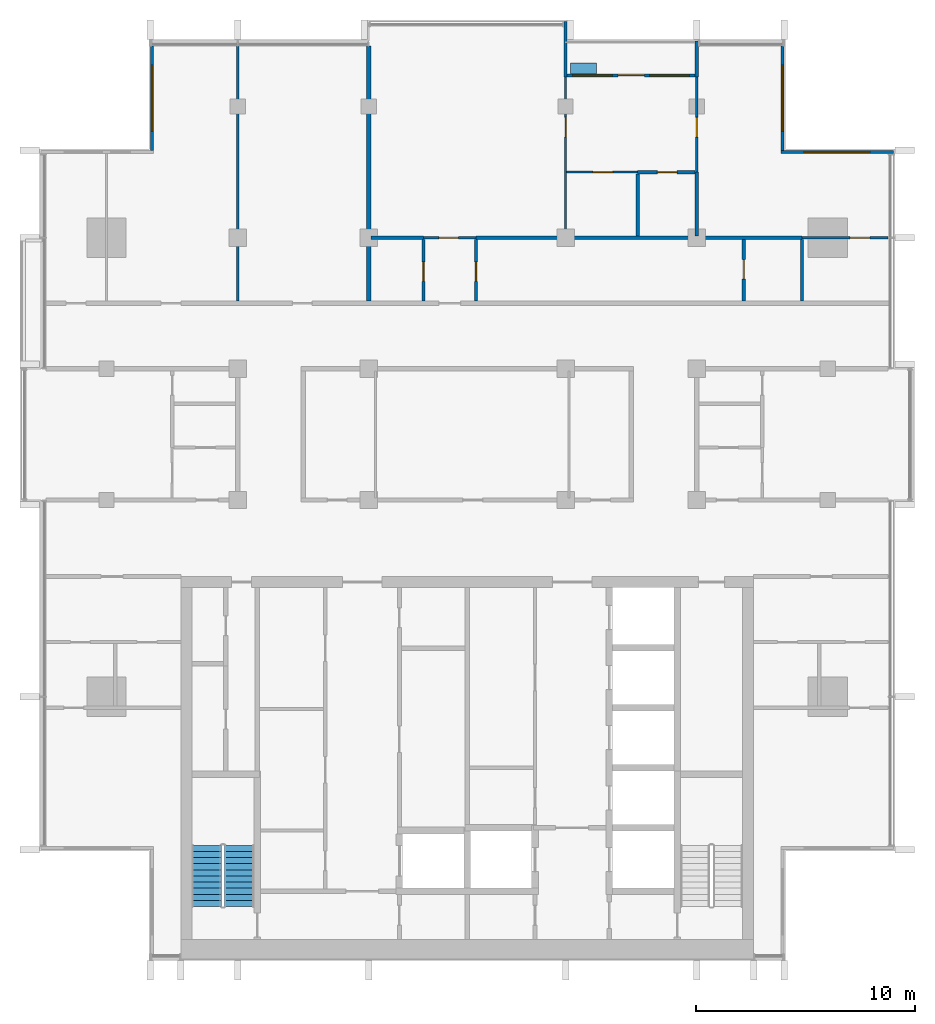
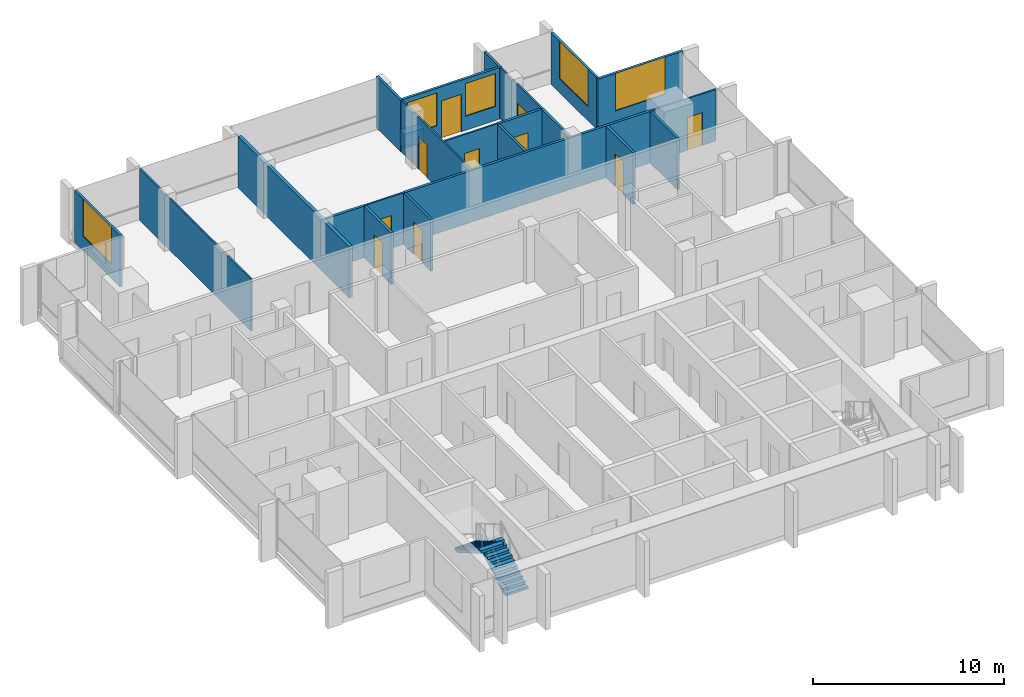
# One storey, part 10 of 16: 23 walls, 10 doors, 5 windows, 2 stair flights, 15 openings, 1 element without a shape of its own.
"""IFC4 building model written with IfcOpenShell, lengths in metres."""

from ifc_helpers import new_model, si_unit, direction, frame, frame_2d, origin, place, context, subcontext, project, spatial, polyline, rectangle, outline, extrude, material, layer, layer_set, type_object, element, fill, aggregate, save


model = new_model("IFC4")

# Units and contexts
model_context = context("Model", 3, precision=1e-05, world=origin(), true_north=direction((0.0, 1.0)))
body_context = subcontext(model_context, "Body", "Model", "MODEL_VIEW")
ifc_project = project(units=[si_unit("LENGTHUNIT", "METRE"), si_unit("AREAUNIT", "SQUARE_METRE"), si_unit("VOLUMEUNIT", "CUBIC_METRE"), si_unit("PLANEANGLEUNIT", "RADIAN"), si_unit("MASSUNIT", "GRAM", prefix="KILO")], contexts=[model_context])

# Site, building, storey
site_placement = place(None, origin())
site = spatial("IfcSite", under=ifc_project, at=site_placement, CompositionType="ELEMENT")
building_placement = place(site_placement, origin())
building = spatial("IfcBuilding", under=site, at=building_placement, Name="Finial Court Residences", CompositionType="ELEMENT")
storey_placement = place(building_placement, frame((0.0, 0.0, 262.699951171875)))
storey = spatial("IfcBuildingStorey", under=building, at=storey_placement, Name="L66", CompositionType="ELEMENT", Elevation=262.699951171875)

# Wall
ifc_material_1 = material(Name="Gypsum board")
ifc_layer_1 = layer(ifc_material_1, 0.02490234375)
ifc_material_2 = material(Name="Acoustic mineral wool in double frame")
ifc_layer_2 = layer(ifc_material_2, 0.14990234375)
ifc_layer_3 = layer(ifc_material_1, 0.02490234375)
ifc_layer_set_1 = layer_set([ifc_layer_1, ifc_layer_2, ifc_layer_3], Name="Corridor wall 200, 1 hour")
wall_type_1 = type_object("IfcWallType", Name="Corridor wall 200, 1 hour", PredefinedType="PARTITIONING", material=ifc_layer_set_1)
wall_1_placement = place(storey_placement, frame((-4.5, 4.60009765625, 0.0), z_axis=(0.0, 0.0, 1.0), x_axis=(0.0, 1.0, 0.0)))
element("IfcWall", 1, at=wall_1_placement, inside=storey, type_object=wall_type_1, Name="Partition L66-030", PredefinedType="PARTITIONING", context=body_context, shape_type="SweptSolid", body=[
    extrude(rectangle(XDim=11.662353515625, YDim=0.199951171875, at=frame_2d((5.8310546875, 0.0))), origin(), (0.0, 0.0, 1.0), 3.300048828125),
])

# Wall, opening, door
ifc_layer_4 = layer(ifc_material_1, 0.012451171875)
ifc_material_3 = material(Name="Mineral wool in light-gauge frame")
ifc_layer_5 = layer(ifc_material_3, 0.074951171875)
ifc_layer_6 = layer(ifc_material_1, 0.012451171875)
ifc_layer_set_2 = layer_set([ifc_layer_4, ifc_layer_5, ifc_layer_6], Name="Gypsum board partition 100")
wall_type_2 = type_object("IfcWallType", Name="Gypsum board partition 100", PredefinedType="PARTITIONING", material=ifc_layer_set_2)
wall_2_placement = place(storey_placement, frame((-2.0, 7.5, 0.0), z_axis=(0.0, 0.0, 1.0), x_axis=(1.0, 0.0, 0.0)))
wall_2 = element("IfcWall", 2, at=wall_2_placement, inside=storey, type_object=wall_type_2, Name="Partition L66-017", PredefinedType="PARTITIONING", context=body_context, shape_type="SweptSolid", body=[
    extrude(rectangle(XDim=2.39990234375, YDim=0.10009765625, at=frame_2d((1.199951171875, 0.0))), origin(), (0.0, 0.0, 1.0), 3.300048828125),
])
opening_1_placement = place(wall_2_placement, frame((0.699951171875, 0.0, 0.0)))
opening_1 = element("IfcOpeningElement", 3, at=opening_1_placement, cuts=wall_2, Name="Opening L66-D020", PredefinedType="OPENING", context=body_context, shape_type="SweptSolid", body=[
    extrude(rectangle(XDim=0.89990234375, YDim=2.10009765625, at=frame_2d((0.449951171875, 1.050048828125))), frame((0.0, 0.06005859375, 0.0), z_axis=(0.0, -1.0, 0.0), x_axis=(1.0, 0.0, 0.0)), (0.0, 0.0, 1.0), 0.1201171875),
])
ifc_material_4 = material(Name="Timber door leaf in timber frame", Category="wood")
door_type_1 = type_object("IfcDoorType", Name="Door set 900 x 2100", OperationType="SINGLE_SWING_LEFT", PredefinedType="DOOR", material=ifc_material_4)
door_1_placement = place(opening_1_placement, origin())
door_1 = element("IfcDoor", 4, at=door_1_placement, inside=storey, type_object=door_type_1, Name="Door L66-D020", OperationType="SINGLE_SWING_LEFT", OverallHeight=2.10009765625, OverallWidth=0.89990234375, PredefinedType="DOOR", context=body_context, shape_type="SweptSolid", body=[
    extrude(rectangle(XDim=0.89990234375, YDim=2.10009765625, at=frame_2d((0.449951171875, 1.050048828125))), frame((0.0, 0.02490234375, 0.0), z_axis=(0.0, -1.0, 0.0), x_axis=(1.0, 0.0, 0.0)), (0.0, 0.0, 1.0), 0.050048828125),
])
fill(opening_1, door_1)

wall_3_placement = place(storey_placement, frame((15.31689453125, 7.5, 0.0), z_axis=(0.0, 0.0, 1.0), x_axis=(1.0, 0.0, 0.0)))
wall_3 = element("IfcWall", 5, at=wall_3_placement, inside=storey, type_object=wall_type_2, Name="Partition L66-018", PredefinedType="PARTITIONING", context=body_context, shape_type="SweptSolid", body=[
    extrude(rectangle(XDim=3.945556640625, YDim=0.10009765625, at=frame_2d((1.97265625, 0.0))), origin(), (0.0, 0.0, 1.0), 3.300048828125),
])
opening_2_placement = place(wall_3_placement, frame((2.199951171875, 0.0, 0.0)))
opening_2 = element("IfcOpeningElement", 6, at=opening_2_placement, cuts=wall_3, Name="Opening L66-D021", PredefinedType="OPENING", context=body_context, shape_type="SweptSolid", body=[
    extrude(rectangle(XDim=0.89990234375, YDim=2.10009765625, at=frame_2d((0.449951171875, 1.050048828125))), frame((0.0, 0.06005859375, 0.0), z_axis=(0.0, -1.0, 0.0), x_axis=(1.0, 0.0, 0.0)), (0.0, 0.0, 1.0), 0.1201171875),
])
door_2_placement = place(opening_2_placement, origin())
door_2 = element("IfcDoor", 7, at=door_2_placement, inside=storey, type_object=door_type_1, Name="Door L66-D021", OperationType="SINGLE_SWING_RIGHT", OverallHeight=2.10009765625, OverallWidth=0.89990234375, PredefinedType="DOOR", context=body_context, shape_type="SweptSolid", body=[
    extrude(rectangle(XDim=0.89990234375, YDim=2.10009765625, at=frame_2d((0.449951171875, 1.050048828125))), frame((0.0, 0.02490234375, 0.0), z_axis=(0.0, -1.0, 0.0), x_axis=(1.0, 0.0, 0.0)), (0.0, 0.0, 1.0), 0.050048828125),
])
fill(opening_2, door_2)

wall_4_placement = place(storey_placement, frame((4.550048828125, 10.5, 0.0), z_axis=(0.0, 0.0, 1.0), x_axis=(1.0, 0.0, 0.0)))
wall_4 = element("IfcWall", 8, at=wall_4_placement, inside=storey, type_object=wall_type_2, Name="Partition L66-021", PredefinedType="PARTITIONING", context=body_context, shape_type="SweptSolid", body=[
    extrude(rectangle(XDim=3.25, YDim=0.10009765625, at=frame_2d((1.625, 0.0))), origin(), (0.0, 0.0, 1.0), 3.300048828125),
])
opening_3_placement = place(wall_4_placement, frame((1.199951171875, 0.0, 0.0)))
opening_3 = element("IfcOpeningElement", 9, at=opening_3_placement, cuts=wall_4, Name="Opening L66-D022", PredefinedType="OPENING", context=body_context, shape_type="SweptSolid", body=[
    extrude(rectangle(XDim=0.89990234375, YDim=2.10009765625, at=frame_2d((0.449951171875, 1.050048828125))), frame((0.0, 0.06005859375, 0.0), z_axis=(0.0, -1.0, 0.0), x_axis=(1.0, 0.0, 0.0)), (0.0, 0.0, 1.0), 0.1201171875),
])
door_3_placement = place(opening_3_placement, origin())
door_3 = element("IfcDoor", 10, at=door_3_placement, inside=storey, type_object=door_type_1, Name="Door L66-D022", OperationType="SINGLE_SWING_RIGHT", OverallHeight=2.10009765625, OverallWidth=0.89990234375, PredefinedType="DOOR", context=body_context, shape_type="SweptSolid", body=[
    extrude(rectangle(XDim=0.89990234375, YDim=2.10009765625, at=frame_2d((0.449951171875, 1.050048828125))), frame((0.0, 0.02490234375, 0.0), z_axis=(0.0, -1.0, 0.0), x_axis=(1.0, 0.0, 0.0)), (0.0, 0.0, 1.0), 0.050048828125),
])
fill(opening_3, door_3)

# Wall
wall_5_placement = place(storey_placement, frame((-10.5, 4.60009765625, 0.0), z_axis=(0.0, 0.0, 1.0), x_axis=(0.0, 1.0, 0.0)))
element("IfcWall", 11, at=wall_5_placement, inside=storey, type_object=wall_type_2, Name="Partition L66-028", PredefinedType="PARTITIONING", context=body_context, shape_type="SweptSolid", body=[
    extrude(rectangle(XDim=11.662353515625, YDim=0.10009765625, at=frame_2d((5.8310546875, 0.0))), origin(), (0.0, 0.0, 1.0), 3.300048828125),
])

# Wall, opening, door
wall_6_placement = place(storey_placement, frame((4.5, 7.574951171875, 0.0), z_axis=(0.0, 0.0, 1.0), x_axis=(0.0, 1.0, 0.0)))
wall_6 = element("IfcWall", 12, at=wall_6_placement, inside=storey, type_object=wall_type_2, Name="Partition L66-034", PredefinedType="PARTITIONING", context=body_context, shape_type="SweptSolid", body=[
    extrude(rectangle(XDim=7.275146484375, YDim=0.10009765625, at=frame_2d((3.6376953125, 0.0))), origin(), (0.0, 0.0, 1.0), 3.300048828125),
])
opening_4_placement = place(wall_6_placement, frame((4.52490234375, 0.0, 0.0)))
opening_4 = element("IfcOpeningElement", 13, at=opening_4_placement, cuts=wall_6, Name="Opening L66-D028", PredefinedType="OPENING", context=body_context, shape_type="SweptSolid", body=[
    extrude(rectangle(XDim=0.89990234375, YDim=2.10009765625, at=frame_2d((0.449951171875, 1.050048828125))), frame((0.0, 0.06005859375, 0.0), z_axis=(0.0, -1.0, 0.0), x_axis=(1.0, 0.0, 0.0)), (0.0, 0.0, 1.0), 0.1201171875),
])
door_4_placement = place(opening_4_placement, origin())
door_4 = element("IfcDoor", 14, at=door_4_placement, inside=storey, type_object=door_type_1, Name="Door L66-D028", OperationType="SINGLE_SWING_RIGHT", OverallHeight=2.10009765625, OverallWidth=0.89990234375, PredefinedType="DOOR", context=body_context, shape_type="SweptSolid", body=[
    extrude(rectangle(XDim=0.89990234375, YDim=2.10009765625, at=frame_2d((0.449951171875, 1.050048828125))), frame((0.0, 0.02490234375, 0.0), z_axis=(0.0, -1.0, 0.0), x_axis=(1.0, 0.0, 0.0)), (0.0, 0.0, 1.0), 0.050048828125),
])
fill(opening_4, door_4)

wall_7_placement = place(storey_placement, frame((10.5, 10.5, 0.0), z_axis=(0.0, 0.0, 1.0), x_axis=(0.0, 1.0, 0.0)))
wall_7 = element("IfcWall", 15, at=wall_7_placement, inside=storey, type_object=wall_type_2, Name="Partition L66-039", PredefinedType="PARTITIONING", context=body_context, shape_type="SweptSolid", body=[
    extrude(rectangle(XDim=4.35009765625, YDim=0.10009765625, at=frame_2d((2.175048828125, 0.0))), origin(), (0.0, 0.0, 1.0), 3.300048828125),
])
opening_5_placement = place(wall_7_placement, frame((1.60009765625, 0.0, 0.0)))
opening_5 = element("IfcOpeningElement", 16, at=opening_5_placement, cuts=wall_7, Name="Opening L66-D029", PredefinedType="OPENING", context=body_context, shape_type="SweptSolid", body=[
    extrude(rectangle(XDim=0.89990234375, YDim=2.10009765625, at=frame_2d((0.449951171875, 1.050048828125))), frame((0.0, 0.06005859375, 0.0), z_axis=(0.0, -1.0, 0.0), x_axis=(1.0, 0.0, 0.0)), (0.0, 0.0, 1.0), 0.1201171875),
])
door_5_placement = place(opening_5_placement, origin())
door_5 = element("IfcDoor", 17, at=door_5_placement, inside=storey, type_object=door_type_1, Name="Door L66-D029", OperationType="SINGLE_SWING_LEFT", OverallHeight=2.10009765625, OverallWidth=0.89990234375, PredefinedType="DOOR", context=body_context, shape_type="SweptSolid", body=[
    extrude(rectangle(XDim=0.89990234375, YDim=2.10009765625, at=frame_2d((0.449951171875, 1.050048828125))), frame((0.0, 0.02490234375, 0.0), z_axis=(0.0, -1.0, 0.0), x_axis=(1.0, 0.0, 0.0)), (0.0, 0.0, 1.0), 0.050048828125),
])
fill(opening_5, door_5)

# Walls
ifc_material_5 = material(Name="Moisture-resistant gypsum board")
ifc_layer_7 = layer(ifc_material_5, 0.012451171875)
ifc_layer_8 = layer(ifc_material_3, 0.125)
ifc_layer_9 = layer(ifc_material_5, 0.012451171875)
ifc_layer_set_3 = layer_set([ifc_layer_7, ifc_layer_8, ifc_layer_9], Name="Gypsum board wet-area partition 150")
wall_type_3 = type_object("IfcWallType", Name="Gypsum board wet-area partition 150", PredefinedType="PARTITIONING", material=ifc_layer_set_3)
wall_8_placement = place(storey_placement, frame((-4.39990234375, 7.5, 0.0), z_axis=(0.0, 0.0, 1.0), x_axis=(1.0, 0.0, 0.0)))
element("IfcWall", 18, at=wall_8_placement, inside=storey, type_object=wall_type_3, Name="Partition L66-019", PredefinedType="PARTITIONING", context=body_context, shape_type="SweptSolid", body=[
    extrude(rectangle(XDim=2.39990234375, YDim=0.14990234375, at=frame_2d((1.199951171875, 0.0))), origin(), (0.0, 0.0, 1.0), 3.300048828125),
])
wall_9_placement = place(storey_placement, frame((0.39990234375, 7.5, 0.0), z_axis=(0.0, 0.0, 1.0), x_axis=(1.0, 0.0, 0.0)))
element("IfcWall", 19, at=wall_9_placement, inside=storey, type_object=wall_type_3, Name="Partition L66-020", PredefinedType="PARTITIONING", context=body_context, shape_type="SweptSolid", body=[
    extrude(rectangle(XDim=14.9169921875, YDim=0.14990234375, at=frame_2d((7.45849609375, 0.0))), origin(), (0.0, 0.0, 1.0), 3.300048828125),
])

# Wall, opening, door
wall_10_placement = place(storey_placement, frame((7.800048828125, 10.5, 0.0), z_axis=(0.0, 0.0, 1.0), x_axis=(1.0, 0.0, 0.0)))
wall_10 = element("IfcWall", 20, at=wall_10_placement, inside=storey, type_object=wall_type_3, Name="Partition L66-022", PredefinedType="PARTITIONING", context=body_context, shape_type="SweptSolid", body=[
    extrude(rectangle(XDim=2.625, YDim=0.14990234375, at=frame_2d((1.3125, 0.0))), origin(), (0.0, 0.0, 1.0), 3.300048828125),
])
opening_6_placement = place(wall_10_placement, frame((0.89990234375, 0.0, 0.0)))
opening_6 = element("IfcOpeningElement", 21, at=opening_6_placement, cuts=wall_10, Name="Opening L66-D023", PredefinedType="OPENING", context=body_context, shape_type="SweptSolid", body=[
    extrude(rectangle(XDim=0.89990234375, YDim=2.10009765625, at=frame_2d((0.449951171875, 1.050048828125))), frame((0.0, 0.0849609375, 0.0), z_axis=(0.0, -1.0, 0.0), x_axis=(1.0, 0.0, 0.0)), (0.0, 0.0, 1.0), 0.169921875),
])
door_6_placement = place(opening_6_placement, origin())
door_6 = element("IfcDoor", 22, at=door_6_placement, inside=storey, type_object=door_type_1, Name="Door L66-D023", OperationType="SINGLE_SWING_RIGHT", OverallHeight=2.10009765625, OverallWidth=0.89990234375, PredefinedType="DOOR", context=body_context, shape_type="SweptSolid", body=[
    extrude(rectangle(XDim=0.89990234375, YDim=2.10009765625, at=frame_2d((0.449951171875, 1.050048828125))), frame((0.0, 0.02490234375, 0.0), z_axis=(0.0, -1.0, 0.0), x_axis=(1.0, 0.0, 0.0)), (0.0, 0.0, 1.0), 0.050048828125),
])
fill(opening_6, door_6)

wall_11_placement = place(storey_placement, frame((-2.0, 4.60009765625, 0.0), z_axis=(0.0, 0.0, 1.0), x_axis=(0.0, 1.0, 0.0)))
wall_11 = element("IfcWall", 23, at=wall_11_placement, inside=storey, type_object=wall_type_3, Name="Partition L66-032", PredefinedType="PARTITIONING", context=body_context, shape_type="SweptSolid", body=[
    extrude(rectangle(XDim=2.824951171875, YDim=0.14990234375, at=frame_2d((1.41259765625, 0.0))), origin(), (0.0, 0.0, 1.0), 3.300048828125),
])
opening_7_placement = place(wall_11_placement, frame((0.89990234375, 0.0, 0.0)))
opening_7 = element("IfcOpeningElement", 24, at=opening_7_placement, cuts=wall_11, Name="Opening L66-D026", PredefinedType="OPENING", context=body_context, shape_type="SweptSolid", body=[
    extrude(rectangle(XDim=0.89990234375, YDim=2.10009765625, at=frame_2d((0.449951171875, 1.050048828125))), frame((0.0, 0.0849609375, 0.0), z_axis=(0.0, -1.0, 0.0), x_axis=(1.0, 0.0, 0.0)), (0.0, 0.0, 1.0), 0.169921875),
])
door_7_placement = place(opening_7_placement, origin())
door_7 = element("IfcDoor", 25, at=door_7_placement, inside=storey, type_object=door_type_1, Name="Door L66-D026", OperationType="SINGLE_SWING_LEFT", OverallHeight=2.10009765625, OverallWidth=0.89990234375, PredefinedType="DOOR", context=body_context, shape_type="SweptSolid", body=[
    extrude(rectangle(XDim=0.89990234375, YDim=2.10009765625, at=frame_2d((0.449951171875, 1.050048828125))), frame((0.0, 0.02490234375, 0.0), z_axis=(0.0, -1.0, 0.0), x_axis=(1.0, 0.0, 0.0)), (0.0, 0.0, 1.0), 0.050048828125),
])
fill(opening_7, door_7)

wall_12_placement = place(storey_placement, frame((0.39990234375, 4.60009765625, 0.0), z_axis=(0.0, 0.0, 1.0), x_axis=(0.0, 1.0, 0.0)))
wall_12 = element("IfcWall", 26, at=wall_12_placement, inside=storey, type_object=wall_type_3, Name="Partition L66-033", PredefinedType="PARTITIONING", context=body_context, shape_type="SweptSolid", body=[
    extrude(rectangle(XDim=2.824951171875, YDim=0.14990234375, at=frame_2d((1.41259765625, 0.0))), origin(), (0.0, 0.0, 1.0), 3.300048828125),
])
opening_8_placement = place(wall_12_placement, frame((0.89990234375, 0.0, 0.0)))
opening_8 = element("IfcOpeningElement", 27, at=opening_8_placement, cuts=wall_12, Name="Opening L66-D027", PredefinedType="OPENING", context=body_context, shape_type="SweptSolid", body=[
    extrude(rectangle(XDim=0.89990234375, YDim=2.10009765625, at=frame_2d((0.449951171875, 1.050048828125))), frame((0.0, 0.0849609375, 0.0), z_axis=(0.0, -1.0, 0.0), x_axis=(1.0, 0.0, 0.0)), (0.0, 0.0, 1.0), 0.169921875),
])
door_8_placement = place(opening_8_placement, origin())
door_8 = element("IfcDoor", 28, at=door_8_placement, inside=storey, type_object=door_type_1, Name="Door L66-D027", OperationType="SINGLE_SWING_LEFT", OverallHeight=2.10009765625, OverallWidth=0.89990234375, PredefinedType="DOOR", context=body_context, shape_type="SweptSolid", body=[
    extrude(rectangle(XDim=0.89990234375, YDim=2.10009765625, at=frame_2d((0.449951171875, 1.050048828125))), frame((0.0, 0.02490234375, 0.0), z_axis=(0.0, -1.0, 0.0), x_axis=(1.0, 0.0, 0.0)), (0.0, 0.0, 1.0), 0.050048828125),
])
fill(opening_8, door_8)

# Walls
wall_13_placement = place(storey_placement, frame((7.800048828125, 7.574951171875, 0.0), z_axis=(0.0, 0.0, 1.0), x_axis=(0.0, 1.0, 0.0)))
element("IfcWall", 29, at=wall_13_placement, inside=storey, type_object=wall_type_3, Name="Partition L66-037", PredefinedType="PARTITIONING", context=body_context, shape_type="SweptSolid", body=[
    extrude(rectangle(XDim=2.85009765625, YDim=0.14990234375, at=frame_2d((1.425048828125, 0.0))), origin(), (0.0, 0.0, 1.0), 3.300048828125),
])
wall_14_placement = place(storey_placement, frame((10.5, 7.574951171875, 0.0), z_axis=(0.0, 0.0, 1.0), x_axis=(0.0, 1.0, 0.0)))
element("IfcWall", 30, at=wall_14_placement, inside=storey, type_object=wall_type_3, Name="Partition L66-040", PredefinedType="PARTITIONING", context=body_context, shape_type="SweptSolid", body=[
    extrude(rectangle(XDim=2.925048828125, YDim=0.14990234375, at=frame_2d((1.46240234375, 0.0))), origin(), (0.0, 0.0, 1.0), 3.300048828125),
])

# Wall, opening, door
wall_15_placement = place(storey_placement, frame((12.64990234375, 4.60009765625, 0.0), z_axis=(0.0, 0.0, 1.0), x_axis=(0.0, 1.0, 0.0)))
wall_15 = element("IfcWall", 31, at=wall_15_placement, inside=storey, type_object=wall_type_3, Name="Partition L66-041", PredefinedType="PARTITIONING", context=body_context, shape_type="SweptSolid", body=[
    extrude(rectangle(XDim=2.824951171875, YDim=0.14990234375, at=frame_2d((1.41259765625, 0.0))), origin(), (0.0, 0.0, 1.0), 3.300048828125),
])
opening_9_placement = place(wall_15_placement, frame((1.0, 0.0, 0.0)))
opening_9 = element("IfcOpeningElement", 32, at=opening_9_placement, cuts=wall_15, Name="Opening L66-D030", PredefinedType="OPENING", context=body_context, shape_type="SweptSolid", body=[
    extrude(rectangle(XDim=0.89990234375, YDim=2.10009765625, at=frame_2d((0.449951171875, 1.050048828125))), frame((0.0, 0.0849609375, 0.0), z_axis=(0.0, -1.0, 0.0), x_axis=(1.0, 0.0, 0.0)), (0.0, 0.0, 1.0), 0.169921875),
])
door_9_placement = place(opening_9_placement, origin())
door_9 = element("IfcDoor", 33, at=door_9_placement, inside=storey, type_object=door_type_1, Name="Door L66-D030", OperationType="SINGLE_SWING_LEFT", OverallHeight=2.10009765625, OverallWidth=0.89990234375, PredefinedType="DOOR", context=body_context, shape_type="SweptSolid", body=[
    extrude(rectangle(XDim=0.89990234375, YDim=2.10009765625, at=frame_2d((0.449951171875, 1.050048828125))), frame((0.0, 0.02490234375, 0.0), z_axis=(0.0, -1.0, 0.0), x_axis=(1.0, 0.0, 0.0)), (0.0, 0.0, 1.0), 0.050048828125),
])
fill(opening_9, door_9)

# Wall
wall_16_placement = place(storey_placement, frame((15.31689453125, 4.60009765625, 0.0), z_axis=(0.0, 0.0, 1.0), x_axis=(0.0, 1.0, 0.0)))
element("IfcWall", 34, at=wall_16_placement, inside=storey, type_object=wall_type_3, Name="Partition L66-044", PredefinedType="PARTITIONING", context=body_context, shape_type="SweptSolid", body=[
    extrude(rectangle(XDim=2.824951171875, YDim=0.14990234375, at=frame_2d((1.41259765625, 0.0))), origin(), (0.0, 0.0, 1.0), 3.300048828125),
])

# Wall, opening, window
ifc_material_6 = material(Name="Natural limestone", Category="masonry")
ifc_layer_10 = layer(ifc_material_6, 0.14990234375)
ifc_layer_set_4 = layer_set([ifc_layer_10], Name="Limestone clad wall 150")
wall_type_4 = type_object("IfcWallType", Name="Limestone clad wall 150", PredefinedType="SOLIDWALL", material=ifc_layer_set_4)
wall_17_placement = place(storey_placement, frame((-14.425048828125, 11.5, 0.0), z_axis=(0.0, 0.0, 1.0), x_axis=(0.0, 1.0, 0.0)))
wall_17 = element("IfcWall", 35, at=wall_17_placement, inside=storey, type_object=wall_type_4, Name="E-L66-NWW16", PredefinedType="SOLIDWALL", context=body_context, shape_type="SweptSolid", body=[
    extrude(rectangle(XDim=4.762451171875, YDim=0.14990234375, at=frame_2d((2.38134765625, 0.0))), origin(), (0.0, 0.0, 1.0), 3.300048828125),
])
opening_10_placement = place(wall_17_placement, frame((0.881103515625, 0.0, 0.89990234375)))
opening_10 = element("IfcOpeningElement", 36, at=opening_10_placement, cuts=wall_17, Name="Opening WE66-05", PredefinedType="OPENING", context=body_context, shape_type="SweptSolid", body=[
    extrude(rectangle(XDim=3.0, YDim=2.39990234375, at=frame_2d((1.5, 1.199951171875))), frame((0.0, 0.0849609375, 0.0), z_axis=(0.0, -1.0, 0.0), x_axis=(1.0, 0.0, 0.0)), (0.0, 0.0, 1.0), 0.169921875),
])
ifc_material_7 = material(Name="Clear low-e glass", Category="glass")
window_type_1 = type_object("IfcWindowType", Name="Corner window 3000 x 2400", PartitioningType="SINGLE_PANEL", PredefinedType="WINDOW", material=ifc_material_7)
window_1_placement = place(opening_10_placement, origin())
window_1 = element("IfcWindow", 37, at=window_1_placement, inside=storey, type_object=window_type_1, Name="E-L66-NWW16-W1", OverallHeight=2.39990234375, OverallWidth=3.0, PartitioningType="SINGLE_PANEL", PredefinedType="WINDOW", context=body_context, shape_type="SweptSolid", body=[
    extrude(rectangle(XDim=3.0, YDim=2.39990234375, at=frame_2d((1.5, 1.199951171875))), frame((0.0, 0.030029296875, 0.0), z_axis=(0.0, -1.0, 0.0), x_axis=(1.0, 0.0, 0.0)), (0.0, 0.0, 1.0), 0.06005859375),
])
fill(opening_10, window_1)

wall_18_placement = place(storey_placement, frame((14.425048828125, 16.262451171875, 0.0), z_axis=(0.0, 0.0, 1.0), x_axis=(0.0, -1.0, 0.0)))
wall_18 = element("IfcWall", 38, at=wall_18_placement, inside=storey, type_object=wall_type_4, Name="E-L66-NWE18", PredefinedType="SOLIDWALL", context=body_context, shape_type="SweptSolid", body=[
    extrude(rectangle(XDim=4.762451171875, YDim=0.14990234375, at=frame_2d((2.38134765625, 0.0))), origin(), (0.0, 0.0, 1.0), 3.300048828125),
])
opening_11_placement = place(wall_18_placement, frame((0.881103515625, 0.0, 0.89990234375)))
opening_11 = element("IfcOpeningElement", 39, at=opening_11_placement, cuts=wall_18, Name="Opening WE66-08", PredefinedType="OPENING", context=body_context, shape_type="SweptSolid", body=[
    extrude(rectangle(XDim=3.0, YDim=2.39990234375, at=frame_2d((1.5, 1.199951171875))), frame((0.0, 0.0849609375, 0.0), z_axis=(0.0, -1.0, 0.0), x_axis=(1.0, 0.0, 0.0)), (0.0, 0.0, 1.0), 0.169921875),
])
window_2_placement = place(opening_11_placement, origin())
window_2 = element("IfcWindow", 40, at=window_2_placement, inside=storey, type_object=window_type_1, Name="E-L66-NWE18-W1", OverallHeight=2.39990234375, OverallWidth=3.0, PartitioningType="SINGLE_PANEL", PredefinedType="WINDOW", context=body_context, shape_type="SweptSolid", body=[
    extrude(rectangle(XDim=3.0, YDim=2.39990234375, at=frame_2d((1.5, 1.199951171875))), frame((0.0, 0.030029296875, 0.0), z_axis=(0.0, -1.0, 0.0), x_axis=(1.0, 0.0, 0.0)), (0.0, 0.0, 1.0), 0.06005859375),
])
fill(opening_11, window_2)

wall_19_placement = place(storey_placement, frame((14.35009765625, 11.425048828125, 0.0), z_axis=(0.0, 0.0, 1.0), x_axis=(1.0, 0.0, 0.0)))
wall_19 = element("IfcWall", 41, at=wall_19_placement, inside=storey, type_object=wall_type_4, Name="E-L66-NWN19", PredefinedType="SOLIDWALL", context=body_context, shape_type="SweptSolid", body=[
    extrude(rectangle(XDim=5.14990234375, YDim=0.14990234375, at=frame_2d((2.574951171875, 0.0))), origin(), (0.0, 0.0, 1.0), 3.300048828125),
])
opening_12_placement = place(wall_19_placement, frame((1.074951171875, 0.0, 0.89990234375)))
opening_12 = element("IfcOpeningElement", 42, at=opening_12_placement, cuts=wall_19, Name="Opening WE66-09", PredefinedType="OPENING", context=body_context, shape_type="SweptSolid", body=[
    extrude(rectangle(XDim=3.0, YDim=2.39990234375, at=frame_2d((1.5, 1.199951171875))), frame((0.0, 0.0849609375, 0.0), z_axis=(0.0, -1.0, 0.0), x_axis=(1.0, 0.0, 0.0)), (0.0, 0.0, 1.0), 0.169921875),
])
window_3_placement = place(opening_12_placement, origin())
window_3 = element("IfcWindow", 43, at=window_3_placement, inside=storey, type_object=window_type_1, Name="E-L66-NWN19-W1", OverallHeight=2.39990234375, OverallWidth=3.0, PartitioningType="SINGLE_PANEL", PredefinedType="WINDOW", context=body_context, shape_type="SweptSolid", body=[
    extrude(rectangle(XDim=3.0, YDim=2.39990234375, at=frame_2d((1.5, 1.199951171875))), frame((0.0, 0.030029296875, 0.0), z_axis=(0.0, -1.0, 0.0), x_axis=(1.0, 0.0, 0.0)), (0.0, 0.0, 1.0), 0.06005859375),
])
fill(opening_12, window_3)

# Walls
wall_20_placement = place(storey_placement, frame((4.5, 14.85009765625, 0.0), z_axis=(0.0, 0.0, 1.0), x_axis=(0.0, 1.0, 0.0)))
element("IfcWall", 44, at=wall_20_placement, inside=storey, type_object=wall_type_4, Name="E-L66-BALN4-P1", PredefinedType="SOLIDWALL", context=body_context, shape_type="SweptSolid", body=[
    extrude(rectangle(XDim=2.5498046875, YDim=0.14990234375, at=frame_2d((1.27490234375, 0.0))), origin(), (0.0, 0.0, 1.0), 3.300048828125),
])
wall_21_placement = place(storey_placement, frame((10.5, 14.85009765625, 0.0), z_axis=(0.0, 0.0, 1.0), x_axis=(0.0, 1.0, 0.0)))
element("IfcWall", 45, at=wall_21_placement, inside=storey, type_object=wall_type_4, Name="E-L66-BALN4-P2", PredefinedType="SOLIDWALL", context=body_context, shape_type="SweptSolid", body=[
    extrude(rectangle(XDim=1.64990234375, YDim=0.14990234375, at=frame_2d((0.824951171875, 0.0))), origin(), (0.0, 0.0, 1.0), 3.300048828125),
])

# Wall, openings, door, windows
wall_22_placement = place(storey_placement, frame((4.574951171875, 14.925048828125, 0.0), z_axis=(0.0, 0.0, 1.0), x_axis=(1.0, 0.0, 0.0)))
wall_22 = element("IfcWall", 46, at=wall_22_placement, inside=storey, type_object=wall_type_4, Name="E-L66-L66-BALN4-W", PredefinedType="SOLIDWALL", context=body_context, shape_type="SweptSolid", body=[
    extrude(rectangle(XDim=5.85009765625, YDim=0.14990234375, at=frame_2d((2.925048828125, 0.0))), origin(), (0.0, 0.0, 1.0), 3.300048828125),
])
opening_13_placement = place(wall_22_placement, frame((2.324951171875, 0.0, 0.0)))
opening_13 = element("IfcOpeningElement", 47, at=opening_13_placement, cuts=wall_22, Name="Opening DE66-01", PredefinedType="OPENING", context=body_context, shape_type="SweptSolid", body=[
    extrude(rectangle(XDim=1.199951171875, YDim=2.39990234375, at=frame_2d((0.60009765625, 1.199951171875))), frame((0.0, 0.0849609375, 0.0), z_axis=(0.0, -1.0, 0.0), x_axis=(1.0, 0.0, 0.0)), (0.0, 0.0, 1.0), 0.169921875),
])
opening_14_placement = place(wall_22_placement, frame((0.262451171875, 0.0, 0.89990234375)))
opening_14 = element("IfcOpeningElement", 48, at=opening_14_placement, cuts=wall_22, Name="Opening WE66-10", PredefinedType="OPENING", context=body_context, shape_type="SweptSolid", body=[
    extrude(rectangle(XDim=1.800048828125, YDim=2.10009765625, at=frame_2d((0.89990234375, 1.050048828125))), frame((0.0, 0.0849609375, 0.0), z_axis=(0.0, -1.0, 0.0), x_axis=(1.0, 0.0, 0.0)), (0.0, 0.0, 1.0), 0.169921875),
])
opening_15_placement = place(wall_22_placement, frame((3.78759765625, 0.0, 0.89990234375)))
opening_15 = element("IfcOpeningElement", 49, at=opening_15_placement, cuts=wall_22, Name="Opening WE66-11", PredefinedType="OPENING", context=body_context, shape_type="SweptSolid", body=[
    extrude(rectangle(XDim=1.800048828125, YDim=2.10009765625, at=frame_2d((0.89990234375, 1.050048828125))), frame((0.0, 0.0849609375, 0.0), z_axis=(0.0, -1.0, 0.0), x_axis=(1.0, 0.0, 0.0)), (0.0, 0.0, 1.0), 0.169921875),
])
ifc_material_8 = material(Name="Bronze anodised aluminium", Category="aluminium")
door_type_2 = type_object("IfcDoorType", Name="Balcony door 1200 x 2400", OperationType="SINGLE_SWING_LEFT", PredefinedType="DOOR", material=ifc_material_8)
door_10_placement = place(opening_13_placement, origin())
door_10 = element("IfcDoor", 50, at=door_10_placement, inside=storey, type_object=door_type_2, Name="E-L66-L66-BALN4-W-D", OperationType="SINGLE_SWING_LEFT", OverallHeight=2.39990234375, OverallWidth=1.199951171875, PredefinedType="DOOR", context=body_context, shape_type="SweptSolid", body=[
    extrude(rectangle(XDim=1.199951171875, YDim=2.39990234375, at=frame_2d((0.60009765625, 1.199951171875))), frame((0.0, 0.02490234375, 0.0), z_axis=(0.0, -1.0, 0.0), x_axis=(1.0, 0.0, 0.0)), (0.0, 0.0, 1.0), 0.050048828125),
])
fill(opening_13, door_10)
window_type_2 = type_object("IfcWindowType", Name="Balcony window 1800 x 2100", PartitioningType="SINGLE_PANEL", PredefinedType="WINDOW", material=ifc_material_7)
window_4_placement = place(opening_14_placement, origin())
window_4 = element("IfcWindow", 51, at=window_4_placement, inside=storey, type_object=window_type_2, Name="E-L66-L66-BALN4-W-W1", OverallHeight=2.10009765625, OverallWidth=1.800048828125, PartitioningType="SINGLE_PANEL", PredefinedType="WINDOW", context=body_context, shape_type="SweptSolid", body=[
    extrude(rectangle(XDim=1.800048828125, YDim=2.10009765625, at=frame_2d((0.89990234375, 1.050048828125))), frame((0.0, 0.030029296875, 0.0), z_axis=(0.0, -1.0, 0.0), x_axis=(1.0, 0.0, 0.0)), (0.0, 0.0, 1.0), 0.06005859375),
])
fill(opening_14, window_4)
window_5_placement = place(opening_15_placement, origin())
window_5 = element("IfcWindow", 52, at=window_5_placement, inside=storey, type_object=window_type_2, Name="E-L66-L66-BALN4-W-W2", OverallHeight=2.10009765625, OverallWidth=1.800048828125, PartitioningType="SINGLE_PANEL", PredefinedType="WINDOW", context=body_context, shape_type="SweptSolid", body=[
    extrude(rectangle(XDim=1.800048828125, YDim=2.10009765625, at=frame_2d((0.89990234375, 1.050048828125))), frame((0.0, 0.030029296875, 0.0), z_axis=(0.0, -1.0, 0.0), x_axis=(1.0, 0.0, 0.0)), (0.0, 0.0, 1.0), 0.06005859375),
])
fill(opening_15, window_5)

# Wall
ifc_material_9 = material(Name="Concrete C40/50", Category="concrete")
ifc_layer_11 = layer(ifc_material_9, 0.10009765625)
ifc_material_10 = material(Name="Planting soil", Category="soil")
ifc_layer_12 = layer(ifc_material_10, 0.300048828125)
ifc_layer_13 = layer(ifc_material_9, 0.10009765625)
ifc_layer_set_5 = layer_set([ifc_layer_11, ifc_layer_12, ifc_layer_13], Name="Planter wall, balcony")
wall_type_5 = type_object("IfcWallType", Name="Planter wall, balcony", PredefinedType="USERDEFINED", material=ifc_layer_set_5)
wall_23_placement = place(storey_placement, frame((4.72509765625, 15.25, 0.0), z_axis=(0.0, 0.0, 1.0), x_axis=(1.0, 0.0, 0.0)))
element("IfcWall", 53, at=wall_23_placement, inside=storey, type_object=wall_type_5, Name="E-L66-BALN4-PL", ObjectType="PLANTER", PredefinedType="USERDEFINED", context=body_context, shape_type="SweptSolid", body=[
    extrude(rectangle(XDim=1.199951171875, YDim=0.5, at=frame_2d((0.60009765625, 0.0))), origin(), (0.0, 0.0, 1.0), 0.900146484375),
])

# Stair, stair flights
ifc_material_11 = material(Name="Concrete C50/60", Category="concrete")
stair_type = type_object("IfcStairType", Name="Exit stair 22 risers of 163.6 mm", PredefinedType="HALF_TURN_STAIR", material=ifc_material_11)
stair_placement = place(storey_placement, origin())
stair = element("IfcStair", 54, at=stair_placement, inside=storey, type_object=stair_type, Name="L66 Exit stair ST-1", PredefinedType="HALF_TURN_STAIR")
stair_flight_type = type_object("IfcStairFlightType", Name="Exit stair flight", PredefinedType="STRAIGHT", material=ifc_material_11)
stair_flight_1_placement = place(storey_placement, frame((-10.425048828125, -23.10009765625, 0.0), z_axis=(0.0, 0.0, 1.0), x_axis=(0.0, 1.0, 0.0)))
stair_flight_1 = element("IfcStairFlight", 55, at=stair_flight_1_placement, type_object=stair_flight_type, Name="ST-1 flight 1", NumberOfRisers=11, NumberOfTreads=10, PredefinedType="STRAIGHT", RiserHeight=0.163636364, TreadLength=0.28, context=body_context, shape_type="SweptSolid", body=[
    extrude(outline(polyline([(0.0, 0.0), (0.0, 0.16357421875), (0.280029296875, 0.16357421875), (0.280029296875, 0.327392578125), (0.56005859375, 0.327392578125), (0.56005859375, 0.490966796875), (0.840087890625, 0.490966796875), (0.840087890625, 0.654541015625), (1.1201171875, 0.654541015625), (1.1201171875, 0.818115234375), (1.39990234375, 0.818115234375), (1.39990234375, 0.98193359375), (1.679931640625, 0.98193359375), (1.679931640625, 1.1455078125), (1.9599609375, 1.1455078125), (1.9599609375, 1.30908203125), (2.239990234375, 1.30908203125), (2.239990234375, 1.47265625), (2.52001953125, 1.47265625), (2.52001953125, 1.636474609375), (2.800048828125, 1.636474609375), (2.800048828125, 1.800048828125), (2.800048828125, 1.462646484375), (0.297119140625, 0.0), (0.0, 0.0)])), frame((0.0, 0.675048828125, 0.0), z_axis=(0.0, -1.0, 0.0), x_axis=(1.0, 0.0, 0.0)), (0.0, 0.0, 1.0), 1.35009765625),
])
stair_flight_2_placement = place(storey_placement, frame((-11.925048828125, -20.300048828125, 1.800048828125), z_axis=(0.0, 0.0, 1.0), x_axis=(0.0, -1.0, 0.0)))
stair_flight_2 = element("IfcStairFlight", 56, at=stair_flight_2_placement, type_object=stair_flight_type, Name="ST-1 flight 2", NumberOfRisers=11, NumberOfTreads=10, PredefinedType="STRAIGHT", RiserHeight=0.163636364, TreadLength=0.28, context=body_context, shape_type="SweptSolid", body=[
    extrude(outline(polyline([(0.0, 0.0), (0.0, 0.16357421875), (0.280029296875, 0.16357421875), (0.280029296875, 0.327392578125), (0.56005859375, 0.327392578125), (0.56005859375, 0.490966796875), (0.840087890625, 0.490966796875), (0.840087890625, 0.654541015625), (1.1201171875, 0.654541015625), (1.1201171875, 0.818115234375), (1.39990234375, 0.818115234375), (1.39990234375, 0.98193359375), (1.679931640625, 0.98193359375), (1.679931640625, 1.1455078125), (1.9599609375, 1.1455078125), (1.9599609375, 1.30908203125), (2.239990234375, 1.30908203125), (2.239990234375, 1.47265625), (2.52001953125, 1.47265625), (2.52001953125, 1.636474609375), (2.800048828125, 1.636474609375), (2.800048828125, 1.800048828125), (2.800048828125, 1.462646484375), (0.297119140625, 0.0), (0.0, 0.0)])), frame((0.0, 0.675048828125, 0.0), z_axis=(0.0, -1.0, 0.0), x_axis=(1.0, 0.0, 0.0)), (0.0, 0.0, 1.0), 1.35009765625),
])
aggregate(stair, [stair_flight_1, stair_flight_2])

save(model, "model.ifc")
